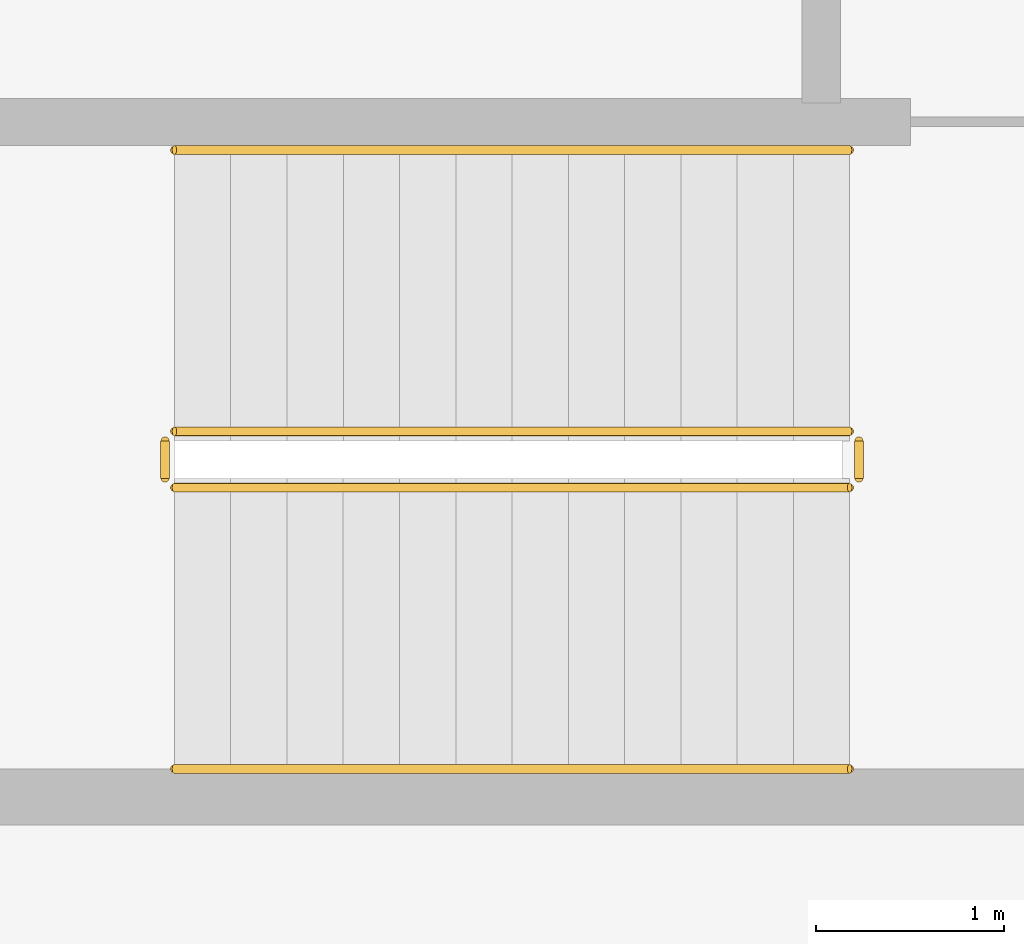
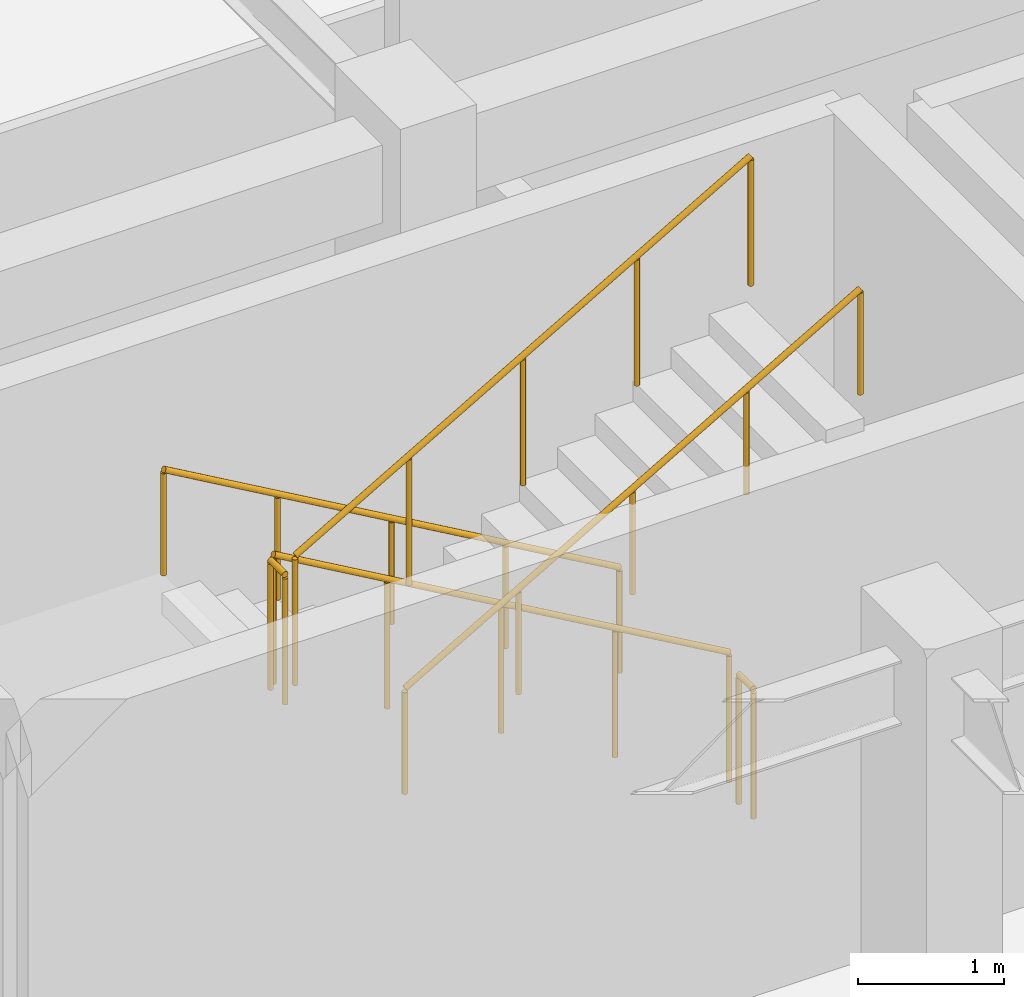
# One storey, part 104 of 106: 6 railings.
"""IFC4 building model written with IfcOpenShell, lengths in metres."""

from ifc_helpers import new_model, si_unit, direction, frame, origin, origin_2d, place, context, subcontext, project, spatial, circle, extrude, material, layer, layer_set, type_object, element, save


model = new_model("IFC4")

# Units and contexts
model_context = context("Model", 3, precision=1e-05, world=origin(), true_north=direction((0.0, 1.0)))
body_context = subcontext(model_context, "Body", "Model", "MODEL_VIEW")
ifc_project = project(units=[si_unit("LENGTHUNIT", "METRE"), si_unit("AREAUNIT", "SQUARE_METRE"), si_unit("VOLUMEUNIT", "CUBIC_METRE"), si_unit("PLANEANGLEUNIT", "RADIAN"), si_unit("MASSUNIT", "GRAM", prefix="KILO")], contexts=[model_context])

# Site, building, storey
site_placement = place(None, origin())
site = spatial("IfcSite", under=ifc_project, at=site_placement, CompositionType="ELEMENT")
building_placement = place(site_placement, origin())
building = spatial("IfcBuilding", under=site, at=building_placement, Name="Carrowvane Square Congress Hotel", CompositionType="ELEMENT")
storey_placement = place(building_placement, frame((0.0, 0.0, 10.5)))
storey = spatial("IfcBuildingStorey", under=building, at=storey_placement, Name="L02", CompositionType="ELEMENT", Elevation=10.5)

# Railings
ifc_material_1 = material(Name="Stainless steel 316", Category="steel")
ifc_layer_1 = layer(ifc_material_1, 0.048095703125)
ifc_layer_set_1 = layer_set([ifc_layer_1], Name="Stainless steel 316")
railing_type_1 = type_object("IfcRailingType", Name="RLG-HR-900", PredefinedType="HANDRAIL", material=ifc_layer_set_1)
railing_1_placement = place(storey_placement, frame((170.85009765625, 61.550048828125, 0.173095703125)))
element("IfcRailing", 1, at=railing_1_placement, inside=storey, type_object=railing_type_1, Name="L02 ST4 stair handrail 1", PredefinedType="HANDRAIL", context=body_context, shape_type="SweptSolid", body=[
    extrude(circle(Radius=0.02392578125, at=origin_2d()), frame((0.0, 0.0, 0.8759765625), z_axis=(-0.866193409371, 0.0, 0.499708892819), x_axis=(0.0, -1.0, 0.0)), (0.0, 0.0, 1.0), 4.15625),
    extrude(circle(Radius=0.02099609375, at=origin_2d()), origin(), (0.0, 0.0, 1.0), 0.851806640625),
    extrude(circle(Radius=0.02099609375, at=origin_2d()), frame((-0.89990234375, 0.0, 0.519287109375)), (0.0, 0.0, 1.0), 0.851806640625),
    extrude(circle(Radius=0.02099609375, at=origin_2d()), frame((-1.800048828125, 0.0, 1.03857421875)), (0.0, 0.0, 1.0), 0.851806640625),
    extrude(circle(Radius=0.02099609375, at=origin_2d()), frame((-2.7001953125, 0.0, 1.5576171875)), (0.0, 0.0, 1.0), 0.851806640625),
    extrude(circle(Radius=0.02099609375, at=origin_2d()), frame((-3.60009765625, 0.0, 2.076904296875)), (0.0, 0.0, 1.0), 0.851806640625),
])
railing_2_placement = place(storey_placement, frame((167.25, 58.25, 2.423095703125)))
element("IfcRailing", 2, at=railing_2_placement, inside=storey, type_object=railing_type_1, Name="L02 ST4 stair handrail 2", PredefinedType="HANDRAIL", context=body_context, shape_type="SweptSolid", body=[
    extrude(circle(Radius=0.02392578125, at=origin_2d()), frame((0.0, 0.0, 0.8759765625), z_axis=(0.866193409371, 0.0, 0.499708892819), x_axis=(0.0, 1.0, 0.0)), (0.0, 0.0, 1.0), 4.15625),
    extrude(circle(Radius=0.02099609375, at=origin_2d()), origin(), (0.0, 0.0, 1.0), 0.851806640625),
    extrude(circle(Radius=0.02099609375, at=origin_2d()), frame((0.89990234375, 0.0, 0.519287109375)), (0.0, 0.0, 1.0), 0.851806640625),
    extrude(circle(Radius=0.02099609375, at=origin_2d()), frame((1.800048828125, 0.0, 1.03857421875)), (0.0, 0.0, 1.0), 0.851806640625),
    extrude(circle(Radius=0.02099609375, at=origin_2d()), frame((2.7001953125, 0.0, 1.5576171875)), (0.0, 0.0, 1.0), 0.851806640625),
    extrude(circle(Radius=0.02099609375, at=origin_2d()), frame((3.60009765625, 0.0, 2.076904296875)), (0.0, 0.0, 1.0), 0.851806640625),
])
ifc_material_2 = material(Name="Galvanised steel", Category="steel")
ifc_layer_2 = layer(ifc_material_2, 0.048095703125)
ifc_layer_set_2 = layer_set([ifc_layer_2], Name="Galvanised steel")
railing_type_2 = type_object("IfcRailingType", Name="RLG-STG-1100", PredefinedType="GUARDRAIL", material=ifc_layer_set_2)
railing_3_placement = place(storey_placement, frame((170.85009765625, 60.050048828125, 0.173095703125)))
element("IfcRailing", 3, at=railing_3_placement, inside=storey, type_object=railing_type_2, Name="L02 ST4 stair guard 1", PredefinedType="GUARDRAIL", context=body_context, shape_type="SweptSolid", body=[
    extrude(circle(Radius=0.02392578125, at=origin_2d()), frame((0.0, 0.0, 1.076171875), z_axis=(-0.866193409371, 0.0, 0.499708892819), x_axis=(0.0, -1.0, 0.0)), (0.0, 0.0, 1.0), 4.15625),
    extrude(circle(Radius=0.02099609375, at=origin_2d()), origin(), (0.0, 0.0, 1.0), 1.052001953125),
    extrude(circle(Radius=0.02099609375, at=origin_2d()), frame((-0.89990234375, 0.0, 0.519287109375)), (0.0, 0.0, 1.0), 1.052001953125),
    extrude(circle(Radius=0.02099609375, at=origin_2d()), frame((-1.800048828125, 0.0, 1.03857421875)), (0.0, 0.0, 1.0), 1.052001953125),
    extrude(circle(Radius=0.02099609375, at=origin_2d()), frame((-2.7001953125, 0.0, 1.5576171875)), (0.0, 0.0, 1.0), 1.052001953125),
    extrude(circle(Radius=0.02099609375, at=origin_2d()), frame((-3.60009765625, 0.0, 2.076904296875)), (0.0, 0.0, 1.0), 1.052001953125),
])
railing_4_placement = place(storey_placement, frame((167.199951171875, 60.0, 2.25)))
element("IfcRailing", 4, at=railing_4_placement, inside=storey, type_object=railing_type_2, Name="L02 ST4 stair guard 2", PredefinedType="GUARDRAIL", context=body_context, shape_type="SweptSolid", body=[
    extrude(circle(Radius=0.02392578125, at=origin_2d()), frame((0.0, 0.0, 1.076171875), z_axis=(0.0, -1.0, 0.0), x_axis=(1.0, 0.0, 0.0)), (0.0, 0.0, 1.0), 0.199951171875),
    extrude(circle(Radius=0.02099609375, at=origin_2d()), origin(), (0.0, 0.0, 1.0), 1.052001953125),
    extrude(circle(Radius=0.02099609375, at=origin_2d()), frame((0.0, -0.199951171875, 0.0)), (0.0, 0.0, 1.0), 1.052001953125),
])
railing_5_placement = place(storey_placement, frame((167.25, 59.75, 2.423095703125)))
element("IfcRailing", 5, at=railing_5_placement, inside=storey, type_object=railing_type_2, Name="L02 ST4 stair guard 3", PredefinedType="GUARDRAIL", context=body_context, shape_type="SweptSolid", body=[
    extrude(circle(Radius=0.02392578125, at=origin_2d()), frame((0.0, 0.0, 1.076171875), z_axis=(0.866193409371, 0.0, 0.499708892819), x_axis=(0.0, 1.0, 0.0)), (0.0, 0.0, 1.0), 4.15625),
    extrude(circle(Radius=0.02099609375, at=origin_2d()), origin(), (0.0, 0.0, 1.0), 1.052001953125),
    extrude(circle(Radius=0.02099609375, at=origin_2d()), frame((0.89990234375, 0.0, 0.519287109375)), (0.0, 0.0, 1.0), 1.052001953125),
    extrude(circle(Radius=0.02099609375, at=origin_2d()), frame((1.800048828125, 0.0, 1.03857421875)), (0.0, 0.0, 1.0), 1.052001953125),
    extrude(circle(Radius=0.02099609375, at=origin_2d()), frame((2.7001953125, 0.0, 1.5576171875)), (0.0, 0.0, 1.0), 1.052001953125),
    extrude(circle(Radius=0.02099609375, at=origin_2d()), frame((3.60009765625, 0.0, 2.076904296875)), (0.0, 0.0, 1.0), 1.052001953125),
])
railing_6_placement = place(storey_placement, frame((170.89990234375, 60.0, 0.0)))
element("IfcRailing", 6, at=railing_6_placement, inside=storey, type_object=railing_type_2, Name="L02 ST4 stair guard 4", PredefinedType="GUARDRAIL", context=body_context, shape_type="SweptSolid", body=[
    extrude(circle(Radius=0.02392578125, at=origin_2d()), frame((0.0, 0.0, 1.076171875), z_axis=(0.0, -1.0, 0.0), x_axis=(1.0, 0.0, 0.0)), (0.0, 0.0, 1.0), 0.199951171875),
    extrude(circle(Radius=0.02099609375, at=origin_2d()), origin(), (0.0, 0.0, 1.0), 1.052001953125),
    extrude(circle(Radius=0.02099609375, at=origin_2d()), frame((0.0, -0.199951171875, 0.0)), (0.0, 0.0, 1.0), 1.052001953125),
])

save(model, "model.ifc")
